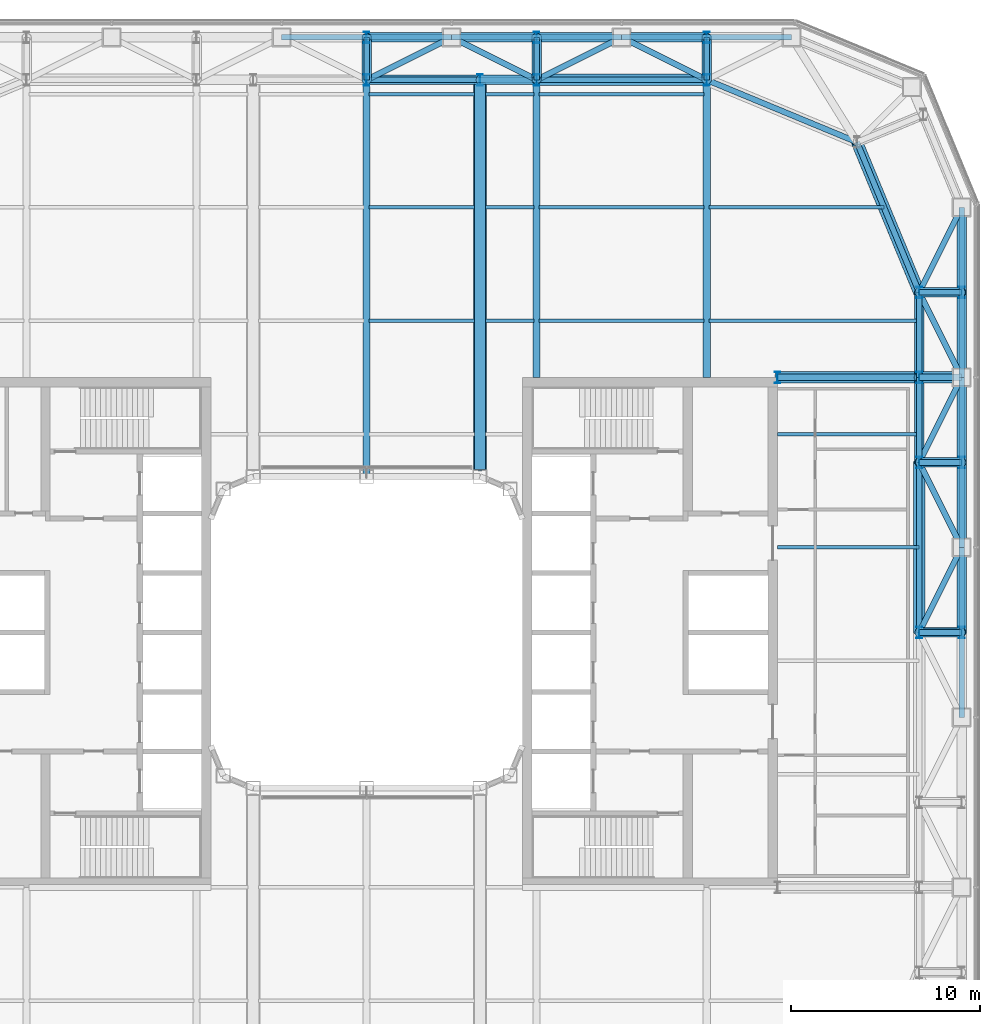
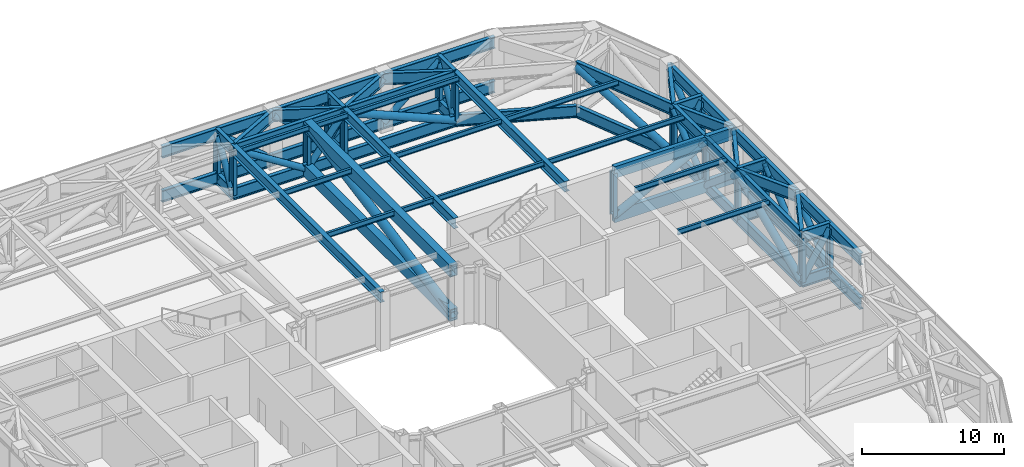
# One storey, part 11 of 33: 68 beams, 40 members.
"""IFC4 building model written with IfcOpenShell, lengths in metres."""

from ifc_helpers import new_model, si_unit, direction, frame, origin, origin_2d, place, context, subcontext, project, spatial, hollow_rectangle, hollow_circle, i_section, extrude, material, material_profile, profile_set, type_object, element, save


model = new_model("IFC4")

# Units and contexts
model_context = context("Model", 3, precision=1e-05, world=origin(), true_north=direction((0.0, 1.0)))
body_context = subcontext(model_context, "Body", "Model", "MODEL_VIEW")
ifc_project = project(units=[si_unit("LENGTHUNIT", "METRE"), si_unit("AREAUNIT", "SQUARE_METRE"), si_unit("VOLUMEUNIT", "CUBIC_METRE"), si_unit("PLANEANGLEUNIT", "RADIAN"), si_unit("MASSUNIT", "GRAM", prefix="KILO")], contexts=[model_context])

# Site, building, storey
site_placement = place(None, origin())
site = spatial("IfcSite", under=ifc_project, at=site_placement, CompositionType="ELEMENT")
building_placement = place(site_placement, origin())
building = spatial("IfcBuilding", under=site, at=building_placement, Name="Siwar Civic Tower", CompositionType="ELEMENT")
storey_placement = place(building_placement, frame((0.0, 0.0, 94.199951171875)))
storey = spatial("IfcBuildingStorey", under=building, at=storey_placement, Name="L20", CompositionType="ELEMENT", Elevation=94.199951171875)

# Beams
ifc_material_1 = material(Name="Steel S460", Category="steel")
ifc_material_profile_1 = material_profile(ifc_material_1, i_section(OverallWidth=0.302001953125, OverallDepth=1.008056640625, WebThickness=0.02099609375, FlangeThickness=0.0400390625, FilletRadius=0.030029296875, at=origin_2d()), Name="HEM1000")
ifc_profile_set_1 = profile_set([ifc_material_profile_1], Name="Steel S460")
beam_type_1 = type_object("IfcBeamType", Name="STR-BELT-TRUSS-CHORD-HEM1000", PredefinedType="BEAM", material=ifc_profile_set_1)
for number, where, z_axis, x_axis, name in (
    (1, (29.25, 0.0, 0.504150390625), (0.0, 1.0, 0.0), (-1.0, 0.0, 0.0), "Belt truss chord"),
    (2, (29.25, 0.0, 4.296142578125), (0.0, 1.0, 0.0), (-1.0, 0.0, 0.0), "Belt truss chord"),
):
    element("IfcBeam", number, at=place(storey_placement, frame(where, z_axis=z_axis, x_axis=x_axis)), inside=storey, type_object=beam_type_1, Name=name, PredefinedType="BEAM", context=body_context, shape_type="SweptSolid", body=[
        extrude(i_section(OverallWidth=0.302001953125, OverallDepth=1.008056640625, WebThickness=0.02099609375, FlangeThickness=0.0400390625, FilletRadius=0.030029296875, at=origin_2d()), origin(), (0.0, 0.0, 1.0), 9.0),
    ])
for number, where, z_axis, x_axis, name in (
    (3, (29.25, 9.0, 0.504150390625), (0.0, 1.0, 0.0), (-1.0, 0.0, 0.0), "Belt truss chord"),
    (4, (29.25, 9.0, 4.296142578125), (0.0, 1.0, 0.0), (-1.0, 0.0, 0.0), "Belt truss chord"),
    (5, (29.25, 13.5, 0.504150390625), (0.0, 1.0, 0.0), (-1.0, 0.0, 0.0), "Belt truss chord"),
    (6, (29.25, 13.5, 4.296142578125), (0.0, 1.0, 0.0), (-1.0, 0.0, 0.0), "Belt truss chord"),
):
    element("IfcBeam", number, at=place(storey_placement, frame(where, z_axis=z_axis, x_axis=x_axis)), inside=storey, type_object=beam_type_1, Name=name, PredefinedType="BEAM", context=body_context, shape_type="SweptSolid", body=[
        extrude(i_section(OverallWidth=0.302001953125, OverallDepth=1.008056640625, WebThickness=0.02099609375, FlangeThickness=0.0400390625, FilletRadius=0.030029296875, at=origin_2d()), origin(), (0.0, 0.0, 1.0), 4.5),
    ])
for number, where, z_axis, x_axis, name in (
    (7, (29.25, 18.0, 0.504150390625), (-0.382699877515, 0.923872720536, 0.0), (-0.923872720536, -0.382699877515, 0.0), "Belt truss chord"),
    (8, (29.25, 18.0, 4.296142578125), (-0.382699877515, 0.923872720536, 0.0), (-0.923872720536, -0.382699877515, 0.0), "Belt truss chord"),
    (9, (25.954833984375, 25.954833984375, 0.504150390625), (-0.923872720536, 0.382699877515, 0.0), (-0.382699877515, -0.923872720536, 0.0), "Belt truss chord"),
):
    element("IfcBeam", number, at=place(storey_placement, frame(where, z_axis=z_axis, x_axis=x_axis)), inside=storey, type_object=beam_type_1, Name=name, PredefinedType="BEAM", context=body_context, shape_type="SweptSolid", body=[
        extrude(i_section(OverallWidth=0.302001953125, OverallDepth=1.008056640625, WebThickness=0.02099609375, FlangeThickness=0.0400390625, FilletRadius=0.030029296875, at=origin_2d()), origin(), (0.0, 0.0, 1.0), 8.6103515625),
    ])
for number, where, z_axis, x_axis, name in (
    (10, (18.0, 29.25, 0.504150390625), (-1.0, 0.0, 0.0), (0.0, -1.0, 0.0), "Belt truss chord"),
    (11, (18.0, 29.25, 4.296142578125), (-1.0, 0.0, 0.0), (0.0, -1.0, 0.0), "Belt truss chord"),
    (12, (9.0, 29.25, 0.504150390625), (-1.0, 0.0, 0.0), (0.0, -1.0, 0.0), "Belt truss chord"),
    (13, (9.0, 29.25, 4.296142578125), (-1.0, 0.0, 0.0), (0.0, -1.0, 0.0), "Belt truss chord"),
    (14, (31.5, -4.5, 0.504150390625), (0.0, 1.0, 0.0), (-1.0, 0.0, 0.0), "Belt truss chord"),
    (15, (31.5, -4.5, 4.296142578125), (0.0, 1.0, 0.0), (-1.0, 0.0, 0.0), "Belt truss chord"),
    (16, (31.5, 4.5, 0.504150390625), (0.0, 1.0, 0.0), (-1.0, 0.0, 0.0), "Belt truss chord"),
    (17, (31.5, 4.5, 4.296142578125), (0.0, 1.0, 0.0), (-1.0, 0.0, 0.0), "Belt truss chord"),
    (18, (31.5, 13.5, 0.504150390625), (0.0, 1.0, 0.0), (-1.0, 0.0, 0.0), "Belt truss chord"),
    (19, (31.5, 13.5, 4.296142578125), (0.0, 1.0, 0.0), (-1.0, 0.0, 0.0), "Belt truss chord"),
    (20, (22.5, 31.5, 0.504150390625), (-1.0, 0.0, 0.0), (0.0, -1.0, 0.0), "Belt truss chord"),
    (21, (22.5, 31.5, 4.296142578125), (-1.0, 0.0, 0.0), (0.0, -1.0, 0.0), "Belt truss chord"),
    (22, (13.5, 31.5, 0.504150390625), (-1.0, 0.0, 0.0), (0.0, -1.0, 0.0), "Belt truss chord"),
    (23, (13.5, 31.5, 4.296142578125), (-1.0, 0.0, 0.0), (0.0, -1.0, 0.0), "Belt truss chord"),
    (24, (4.5, 31.5, 0.504150390625), (-1.0, 0.0, 0.0), (0.0, -1.0, 0.0), "Belt truss chord"),
    (25, (4.5, 31.5, 4.296142578125), (-1.0, 0.0, 0.0), (0.0, -1.0, 0.0), "Belt truss chord"),
):
    element("IfcBeam", number, at=place(storey_placement, frame(where, z_axis=z_axis, x_axis=x_axis)), inside=storey, type_object=beam_type_1, Name=name, PredefinedType="BEAM", context=body_context, shape_type="SweptSolid", body=[
        extrude(i_section(OverallWidth=0.302001953125, OverallDepth=1.008056640625, WebThickness=0.02099609375, FlangeThickness=0.0400390625, FilletRadius=0.030029296875, at=origin_2d()), origin(), (0.0, 0.0, 1.0), 9.0),
    ])

# Members
ifc_material_2 = material(Name="Steel S355", Category="steel")
ifc_material_profile_2 = material_profile(ifc_material_2, hollow_circle(Radius=0.25390625, WallThickness=0.02490234375, at=origin_2d()), Name="CHS508x25")
ifc_profile_set_2 = profile_set([ifc_material_profile_2], Name="Steel S355")
member_type_1 = type_object("IfcMemberType", Name="STR-BELT-TRUSS-DIAGONAL-CHS508x25", PredefinedType="BRACE", material=ifc_profile_set_2)
for number, where, z_axis, x_axis, name in (
    (26, (29.25, 13.50390625, 0.500732421875), (0.0, -0.764699580999, 0.644386957364), (1.0, 0.0, 0.0), "Belt truss diagonal"),
    (27, (29.25, 13.49609375, 0.500732421875), (0.0, 0.764699580999, 0.644386957364), (-1.0, 0.0, 0.0), "Belt truss diagonal"),
):
    element("IfcMember", number, at=place(storey_placement, frame(where, z_axis=z_axis, x_axis=x_axis)), inside=storey, type_object=member_type_1, Name=name, PredefinedType="BRACE", context=body_context, shape_type="SweptSolid", body=[
        extrude(hollow_circle(Radius=0.25390625, WallThickness=0.02490234375, at=origin_2d()), origin(), (0.0, 0.0, 1.0), 5.894775390625),
    ])
member_1_placement = place(storey_placement, frame((5.996826171875, 29.25, 0.500244140625), z_axis=(0.620470608021, 0.0, 0.784229701416), x_axis=(0.0, 1.0, 0.0)))
element("IfcMember", 28, at=member_1_placement, inside=storey, type_object=member_type_1, Name="Belt truss diagonal", PredefinedType="BRACE", context=body_context, shape_type="SweptSolid", body=[
    extrude(hollow_circle(Radius=0.25390625, WallThickness=0.02490234375, at=origin_2d()), origin(), (0.0, 0.0, 1.0), 4.84521484375),
])
member_2_placement = place(storey_placement, frame((6.004150390625, 29.25, 0.50146484375), z_axis=(-0.845320722688, 0.0, 0.534259184099), x_axis=(0.0, -1.0, 0.0)))
element("IfcMember", 29, at=member_2_placement, inside=storey, type_object=member_type_1, Name="Belt truss diagonal", PredefinedType="BRACE", context=body_context, shape_type="SweptSolid", body=[
    extrude(hollow_circle(Radius=0.25390625, WallThickness=0.02490234375, at=origin_2d()), origin(), (0.0, 0.0, 1.0), 7.107666015625),
])
for number, where, z_axis, x_axis, name in (
    (30, (31.5, -0.00390625, 0.500732421875), (0.0, 0.764699580999, 0.644386957364), (-1.0, 0.0, 0.0), "Belt truss diagonal"),
    (31, (31.5, 4.49609375, 0.500732421875), (0.0, 0.764699580999, 0.644386957364), (-1.0, 0.0, 0.0), "Belt truss diagonal"),
    (32, (31.5, 13.50390625, 0.500732421875), (0.0, -0.764699580999, 0.644386957364), (1.0, 0.0, 0.0), "Belt truss diagonal"),
    (33, (31.5, 18.00390625, 0.500732421875), (0.0, -0.764699580999, 0.644386957364), (1.0, 0.0, 0.0), "Belt truss diagonal"),
    (34, (31.5, 17.99609375, 0.500732421875), (0.0, 0.764699580999, 0.644386957364), (-1.0, 0.0, 0.0), "Belt truss diagonal"),
    (35, (13.49609375, 31.5, 0.500732421875), (0.764699580999, 0.0, 0.644386957364), (0.0, 1.0, 0.0), "Belt truss diagonal"),
    (36, (8.99609375, 31.5, 0.500732421875), (0.764699580999, 0.0, 0.644386957364), (0.0, 1.0, 0.0), "Belt truss diagonal"),
    (37, (9.00390625, 31.5, 0.500732421875), (-0.764699580999, 0.0, 0.644386957364), (0.0, -1.0, 0.0), "Belt truss diagonal"),
    (38, (4.50390625, 31.5, 0.500732421875), (-0.764699580999, 0.0, 0.644386957364), (0.0, -1.0, 0.0), "Belt truss diagonal"),
):
    element("IfcMember", number, at=place(storey_placement, frame(where, z_axis=z_axis, x_axis=x_axis)), inside=storey, type_object=member_type_1, Name=name, PredefinedType="BRACE", context=body_context, shape_type="SweptSolid", body=[
        extrude(hollow_circle(Radius=0.25390625, WallThickness=0.02490234375, at=origin_2d()), origin(), (0.0, 0.0, 1.0), 5.894775390625),
    ])
for number, where, z_axis, x_axis, name in (
    (39, (29.24755859375, 0.0, 0.499755859375), (0.510256630496, 0.0, 0.860022192176), (0.0, 1.0, 0.0), "Belt truss diagonal"),
    (40, (31.50244140625, 9.0, 0.499755859375), (-0.510256630496, 0.0, 0.860022192176), (0.0, -1.0, 0.0), "Belt truss diagonal"),
    (41, (29.24755859375, 18.0, 0.499755859375), (0.510256630496, 0.0, 0.860022192176), (0.0, 1.0, 0.0), "Belt truss diagonal"),
    (42, (18.0, 29.24755859375, 0.499755859375), (0.0, 0.510256630496, 0.860022192176), (-1.0, 0.0, 0.0), "Belt truss diagonal"),
    (43, (9.0, 31.50244140625, 0.499755859375), (0.0, -0.510256630496, 0.860022192176), (1.0, 0.0, 0.0), "Belt truss diagonal"),
    (44, (0.0, 29.24755859375, 0.499755859375), (0.0, 0.510256630496, 0.860022192176), (-1.0, 0.0, 0.0), "Belt truss diagonal"),
):
    element("IfcMember", number, at=place(storey_placement, frame(where, z_axis=z_axis, x_axis=x_axis)), inside=storey, type_object=member_type_1, Name=name, PredefinedType="BRACE", context=body_context, shape_type="SweptSolid", body=[
        extrude(hollow_circle(Radius=0.25390625, WallThickness=0.02490234375, at=origin_2d()), origin(), (0.0, 0.0, 1.0), 4.419189453125),
    ])
ifc_material_3 = material(Name="Steel S355", Category="steel")
ifc_material_profile_3 = material_profile(ifc_material_3, hollow_circle(Radius=0.304931640625, WallThickness=0.030029296875, at=origin_2d()), Name="CHS610x30")
ifc_profile_set_3 = profile_set([ifc_material_profile_3], Name="Steel S355")
member_type_2 = type_object("IfcMemberType", Name="STR-BELT-TRUSS-DIAGONAL-CHS610x30", PredefinedType="BRACE", material=ifc_profile_set_3)
member_3_placement = place(storey_placement, frame((29.25, -0.004638671875, 0.502197265625), z_axis=(0.0, 0.921543214524, 0.388275808884), x_axis=(-1.0, 0.0, 0.0)))
element("IfcMember", 45, at=member_3_placement, inside=storey, type_object=member_type_2, Name="Belt truss diagonal", PredefinedType="BRACE", context=body_context, shape_type="SweptSolid", body=[
    extrude(hollow_circle(Radius=0.304931640625, WallThickness=0.030029296875, at=origin_2d()), origin(), (0.0, 0.0, 1.0), 9.7763671875),
])
member_4_placement = place(storey_placement, frame((29.251708984375, 17.995849609375, 0.501953125), z_axis=(-0.350226651172, 0.845510540146, 0.403054858935), x_axis=(-0.923877709708, -0.382687832972, 0.0)))
element("IfcMember", 46, at=member_4_placement, inside=storey, type_object=member_type_2, Name="Belt truss diagonal", PredefinedType="BRACE", context=body_context, shape_type="SweptSolid", body=[
    extrude(hollow_circle(Radius=0.304931640625, WallThickness=0.030029296875, at=origin_2d()), origin(), (0.0, 0.0, 1.0), 9.41845703125),
])
member_5_placement = place(storey_placement, frame((18.004638671875, 29.25, 0.502197265625), z_axis=(-0.921543214524, 0.0, 0.388275808884), x_axis=(0.0, -1.0, 0.0)))
element("IfcMember", 47, at=member_5_placement, inside=storey, type_object=member_type_2, Name="Belt truss diagonal", PredefinedType="BRACE", context=body_context, shape_type="SweptSolid", body=[
    extrude(hollow_circle(Radius=0.304931640625, WallThickness=0.030029296875, at=origin_2d()), origin(), (0.0, 0.0, 1.0), 9.7763671875),
])

# Beams
ifc_material_4 = material(Name="Steel S460", Category="steel")
ifc_material_profile_4 = material_profile(ifc_material_4, i_section(OverallWidth=0.302001953125, OverallDepth=1.008056640625, WebThickness=0.02099609375, FlangeThickness=0.0400390625, FilletRadius=0.030029296875, at=origin_2d()), Name="HEM1000")
ifc_profile_set_4 = profile_set([ifc_material_profile_4], Name="Steel S460")
beam_type_2 = type_object("IfcBeamType", Name="STR-BELT-TRUSS-LADDER-CHORD-HEM1000", PredefinedType="BEAM", material=ifc_profile_set_4)
for number, where, z_axis, x_axis, name in (
    (48, (29.25, 0.0, 0.504150390625), (1.0, 0.0, 0.0), (0.0, 1.0, 0.0), "Belt truss ladder chord"),
    (49, (29.25, 0.0, 4.296142578125), (1.0, 0.0, 0.0), (0.0, 1.0, 0.0), "Belt truss ladder chord"),
    (50, (29.25, 9.0, 0.504150390625), (1.0, 0.0, 0.0), (0.0, 1.0, 0.0), "Belt truss ladder chord"),
    (51, (29.25, 9.0, 4.296142578125), (1.0, 0.0, 0.0), (0.0, 1.0, 0.0), "Belt truss ladder chord"),
    (52, (29.25, 18.0, 0.504150390625), (1.0, 0.0, 0.0), (0.0, 1.0, 0.0), "Belt truss ladder chord"),
    (53, (29.25, 18.0, 4.296142578125), (1.0, 0.0, 0.0), (0.0, 1.0, 0.0), "Belt truss ladder chord"),
    (54, (18.0, 29.25, 0.504150390625), (0.0, 1.0, 0.0), (-1.0, 0.0, 0.0), "Belt truss ladder chord"),
    (55, (18.0, 29.25, 4.296142578125), (0.0, 1.0, 0.0), (-1.0, 0.0, 0.0), "Belt truss ladder chord"),
    (56, (9.0, 29.25, 0.504150390625), (0.0, 1.0, 0.0), (-1.0, 0.0, 0.0), "Belt truss ladder chord"),
    (57, (9.0, 29.25, 4.296142578125), (0.0, 1.0, 0.0), (-1.0, 0.0, 0.0), "Belt truss ladder chord"),
    (58, (0.0, 29.25, 0.504150390625), (0.0, 1.0, 0.0), (-1.0, 0.0, 0.0), "Belt truss ladder chord"),
    (59, (0.0, 29.25, 4.296142578125), (0.0, 1.0, 0.0), (-1.0, 0.0, 0.0), "Belt truss ladder chord"),
):
    element("IfcBeam", number, at=place(storey_placement, frame(where, z_axis=z_axis, x_axis=x_axis)), inside=storey, type_object=beam_type_2, Name=name, PredefinedType="BEAM", context=body_context, shape_type="SweptSolid", body=[
        extrude(i_section(OverallWidth=0.302001953125, OverallDepth=1.008056640625, WebThickness=0.02099609375, FlangeThickness=0.0400390625, FilletRadius=0.030029296875, at=origin_2d()), origin(), (0.0, 0.0, 1.0), 2.25),
    ])

# Members
ifc_material_5 = material(Name="Steel S355", Category="steel")
ifc_material_profile_5 = material_profile(ifc_material_5, i_section(OverallWidth=0.300048828125, OverallDepth=0.60009765625, WebThickness=0.015380859375, FlangeThickness=0.030029296875, FilletRadius=0.027099609375, at=origin_2d()), Name="HEB600")
ifc_profile_set_5 = profile_set([ifc_material_profile_5], Name="Steel S355")
member_type_3 = type_object("IfcMemberType", Name="STR-BELT-TRUSS-POST-HEB600", PredefinedType="POST", material=ifc_profile_set_5)
for number, where, z_axis, x_axis, name in (
    (60, (0.0, 29.25, 0.504150390625), (0.0, 0.0, 1.0), (1.0, 0.0, 0.0), "Belt truss post"),
    (61, (0.0, 31.5, 0.504150390625), (0.0, 0.0, 1.0), (1.0, 0.0, 0.0), "Belt truss post"),
    (62, (6.0, 29.25, 0.504150390625), (0.0, 0.0, 1.0), (1.0, 0.0, 0.0), "Belt truss post"),
    (63, (9.0, 29.25, 0.504150390625), (0.0, 0.0, 1.0), (1.0, 0.0, 0.0), "Belt truss post"),
    (64, (9.0, 31.5, 0.504150390625), (0.0, 0.0, 1.0), (1.0, 0.0, 0.0), "Belt truss post"),
    (65, (18.0, 29.25, 0.504150390625), (0.0, 0.0, 1.0), (1.0, 0.0, 0.0), "Belt truss post"),
    (66, (18.0, 31.5, 0.504150390625), (0.0, 0.0, 1.0), (1.0, 0.0, 0.0), "Belt truss post"),
    (67, (29.25, 0.0, 0.504150390625), (0.0, 0.0, 1.0), (1.0, 0.0, 0.0), "Belt truss post"),
    (68, (29.25, 9.0, 0.504150390625), (0.0, 0.0, 1.0), (1.0, 0.0, 0.0), "Belt truss post"),
    (69, (29.25, 13.5, 0.504150390625), (0.0, 0.0, 1.0), (1.0, 0.0, 0.0), "Belt truss post"),
    (70, (29.25, 18.0, 0.504150390625), (0.0, 0.0, 1.0), (1.0, 0.0, 0.0), "Belt truss post"),
    (71, (31.5, 0.0, 0.504150390625), (0.0, 0.0, 1.0), (1.0, 0.0, 0.0), "Belt truss post"),
    (72, (31.5, 9.0, 0.504150390625), (0.0, 0.0, 1.0), (1.0, 0.0, 0.0), "Belt truss post"),
    (73, (31.5, 18.0, 0.504150390625), (0.0, 0.0, 1.0), (1.0, 0.0, 0.0), "Belt truss post"),
):
    element("IfcMember", number, at=place(storey_placement, frame(where, z_axis=z_axis, x_axis=x_axis)), inside=storey, type_object=member_type_3, Name=name, PredefinedType="POST", context=body_context, shape_type="SweptSolid", body=[
        extrude(i_section(OverallWidth=0.300048828125, OverallDepth=0.60009765625, WebThickness=0.015380859375, FlangeThickness=0.030029296875, FilletRadius=0.027099609375, at=origin_2d()), origin(), (0.0, 0.0, 1.0), 3.7919921875),
    ])

# Beams
ifc_material_6 = material(Name="Steel S355", Category="steel")
ifc_material_profile_6 = material_profile(ifc_material_6, i_section(OverallWidth=0.18994140625, OverallDepth=0.449951171875, WebThickness=0.009521484375, FlangeThickness=0.0146484375, FilletRadius=0.02099609375, at=origin_2d()), Name="IPE450")
ifc_profile_set_6 = profile_set([ifc_material_profile_6], Name="Steel S355")
beam_type_3 = type_object("IfcBeamType", Name="STR-FB-IPE450", PredefinedType="JOIST", material=ifc_profile_set_6)
for number, where, z_axis, x_axis, name in (
    (74, (21.75, 4.5, 4.574951171875), (1.0, 0.0, 0.0), (0.0, 1.0, 0.0), "L20/bm/F030"),
    (75, (21.75, 10.5, 4.574951171875), (1.0, 0.0, 0.0), (0.0, 1.0, 0.0), "L20/bm/F036"),
):
    element("IfcBeam", number, at=place(storey_placement, frame(where, z_axis=z_axis, x_axis=x_axis)), inside=storey, type_object=beam_type_3, Name=name, PredefinedType="JOIST", context=body_context, shape_type="SweptSolid", body=[
        extrude(i_section(OverallWidth=0.18994140625, OverallDepth=0.449951171875, WebThickness=0.009521484375, FlangeThickness=0.0146484375, FilletRadius=0.02099609375, at=origin_2d()), origin(), (0.0, 0.0, 1.0), 7.5),
    ])
beam_1_placement = place(storey_placement, frame((0.1298828125, 16.5, 4.574951171875), z_axis=(1.0, 0.0, 0.0), x_axis=(0.0, 1.0, 0.0)))
element("IfcBeam", 76, at=beam_1_placement, inside=storey, type_object=beam_type_3, Name="L20/bm/F041", PredefinedType="JOIST", context=body_context, shape_type="SweptSolid", body=[
    extrude(i_section(OverallWidth=0.18994140625, OverallDepth=0.449951171875, WebThickness=0.009521484375, FlangeThickness=0.0146484375, FilletRadius=0.02099609375, at=origin_2d()), origin(), (0.0, 0.0, 1.0), 5.590087890625),
])
beam_2_placement = place(storey_placement, frame((6.280029296875, 16.5, 4.574951171875), z_axis=(1.0, 0.0, 0.0), x_axis=(0.0, 1.0, 0.0)))
element("IfcBeam", 77, at=beam_2_placement, inside=storey, type_object=beam_type_3, Name="L20/bm/F042", PredefinedType="JOIST", context=body_context, shape_type="SweptSolid", body=[
    extrude(i_section(OverallWidth=0.18994140625, OverallDepth=0.449951171875, WebThickness=0.009521484375, FlangeThickness=0.0146484375, FilletRadius=0.02099609375, at=origin_2d()), origin(), (0.0, 0.0, 1.0), 2.590087890625),
])
beam_3_placement = place(storey_placement, frame((9.1298828125, 16.5, 4.574951171875), z_axis=(1.0, 0.0, 0.0), x_axis=(0.0, 1.0, 0.0)))
element("IfcBeam", 78, at=beam_3_placement, inside=storey, type_object=beam_type_3, Name="L20/bm/F043", PredefinedType="JOIST", context=body_context, shape_type="SweptSolid", body=[
    extrude(i_section(OverallWidth=0.18994140625, OverallDepth=0.449951171875, WebThickness=0.009521484375, FlangeThickness=0.0146484375, FilletRadius=0.02099609375, at=origin_2d()), origin(), (0.0, 0.0, 1.0), 8.740234375),
])
beam_4_placement = place(storey_placement, frame((18.1298828125, 16.5, 4.574951171875), z_axis=(1.0, 0.0, 0.0), x_axis=(0.0, 1.0, 0.0)))
element("IfcBeam", 79, at=beam_4_placement, inside=storey, type_object=beam_type_3, Name="L20/bm/F044", PredefinedType="JOIST", context=body_context, shape_type="SweptSolid", body=[
    extrude(i_section(OverallWidth=0.18994140625, OverallDepth=0.449951171875, WebThickness=0.009521484375, FlangeThickness=0.0146484375, FilletRadius=0.02099609375, at=origin_2d()), origin(), (0.0, 0.0, 1.0), 11.1201171875),
])
beam_5_placement = place(storey_placement, frame((0.1298828125, 22.5, 4.574951171875), z_axis=(1.0, 0.0, 0.0), x_axis=(0.0, 1.0, 0.0)))
element("IfcBeam", 80, at=beam_5_placement, inside=storey, type_object=beam_type_3, Name="L20/bm/F049", PredefinedType="JOIST", context=body_context, shape_type="SweptSolid", body=[
    extrude(i_section(OverallWidth=0.18994140625, OverallDepth=0.449951171875, WebThickness=0.009521484375, FlangeThickness=0.0146484375, FilletRadius=0.02099609375, at=origin_2d()), origin(), (0.0, 0.0, 1.0), 5.590087890625),
])
beam_6_placement = place(storey_placement, frame((6.280029296875, 22.5, 4.574951171875), z_axis=(1.0, 0.0, 0.0), x_axis=(0.0, 1.0, 0.0)))
element("IfcBeam", 81, at=beam_6_placement, inside=storey, type_object=beam_type_3, Name="L20/bm/F050", PredefinedType="JOIST", context=body_context, shape_type="SweptSolid", body=[
    extrude(i_section(OverallWidth=0.18994140625, OverallDepth=0.449951171875, WebThickness=0.009521484375, FlangeThickness=0.0146484375, FilletRadius=0.02099609375, at=origin_2d()), origin(), (0.0, 0.0, 1.0), 2.590087890625),
])
beam_7_placement = place(storey_placement, frame((9.1298828125, 22.5, 4.574951171875), z_axis=(1.0, 0.0, 0.0), x_axis=(0.0, 1.0, 0.0)))
element("IfcBeam", 82, at=beam_7_placement, inside=storey, type_object=beam_type_3, Name="L20/bm/F051", PredefinedType="JOIST", context=body_context, shape_type="SweptSolid", body=[
    extrude(i_section(OverallWidth=0.18994140625, OverallDepth=0.449951171875, WebThickness=0.009521484375, FlangeThickness=0.0146484375, FilletRadius=0.02099609375, at=origin_2d()), origin(), (0.0, 0.0, 1.0), 8.740234375),
])
beam_8_placement = place(storey_placement, frame((18.1298828125, 22.5, 4.574951171875), z_axis=(1.0, 0.0, 0.0), x_axis=(0.0, 1.0, 0.0)))
element("IfcBeam", 83, at=beam_8_placement, inside=storey, type_object=beam_type_3, Name="L20/bm/F052", PredefinedType="JOIST", context=body_context, shape_type="SweptSolid", body=[
    extrude(i_section(OverallWidth=0.18994140625, OverallDepth=0.449951171875, WebThickness=0.009521484375, FlangeThickness=0.0146484375, FilletRadius=0.02099609375, at=origin_2d()), origin(), (0.0, 0.0, 1.0), 9.256103515625),
])
beam_9_placement = place(storey_placement, frame((0.1298828125, 28.5, 4.574951171875), z_axis=(1.0, 0.0, 0.0), x_axis=(0.0, 1.0, 0.0)))
element("IfcBeam", 84, at=beam_9_placement, inside=storey, type_object=beam_type_3, Name="L20/bm/F056", PredefinedType="JOIST", context=body_context, shape_type="SweptSolid", body=[
    extrude(i_section(OverallWidth=0.18994140625, OverallDepth=0.449951171875, WebThickness=0.009521484375, FlangeThickness=0.0146484375, FilletRadius=0.02099609375, at=origin_2d()), origin(), (0.0, 0.0, 1.0), 5.590087890625),
])
beam_10_placement = place(storey_placement, frame((6.280029296875, 28.5, 4.574951171875), z_axis=(1.0, 0.0, 0.0), x_axis=(0.0, 1.0, 0.0)))
element("IfcBeam", 85, at=beam_10_placement, inside=storey, type_object=beam_type_3, Name="L20/bm/F057", PredefinedType="JOIST", context=body_context, shape_type="SweptSolid", body=[
    extrude(i_section(OverallWidth=0.18994140625, OverallDepth=0.449951171875, WebThickness=0.009521484375, FlangeThickness=0.0146484375, FilletRadius=0.02099609375, at=origin_2d()), origin(), (0.0, 0.0, 1.0), 2.590087890625),
])
beam_11_placement = place(storey_placement, frame((9.1298828125, 28.5, 4.574951171875), z_axis=(1.0, 0.0, 0.0), x_axis=(0.0, 1.0, 0.0)))
element("IfcBeam", 86, at=beam_11_placement, inside=storey, type_object=beam_type_3, Name="L20/bm/F058", PredefinedType="JOIST", context=body_context, shape_type="SweptSolid", body=[
    extrude(i_section(OverallWidth=0.18994140625, OverallDepth=0.449951171875, WebThickness=0.009521484375, FlangeThickness=0.0146484375, FilletRadius=0.02099609375, at=origin_2d()), origin(), (0.0, 0.0, 1.0), 8.740234375),
])
ifc_material_7 = material(Name="Steel S460", Category="steel")
ifc_material_profile_7 = material_profile(ifc_material_7, hollow_rectangle(XDim=0.35009765625, YDim=1.008056640625, WallThickness=0.0400390625, at=origin_2d()), Name="BOX1008x350x40")
ifc_profile_set_7 = profile_set([ifc_material_profile_7], Name="Steel S460")
beam_type_4 = type_object("IfcBeamType", Name="STR-OUTRIGGER-TRUSS-CHORD-BOX1008x350x40", PredefinedType="BEAM", material=ifc_profile_set_7)
for number, where, z_axis, x_axis, name in (
    (87, (31.5, 13.5, 0.504150390625), (-1.0, 0.0, 0.0), (0.0, -1.0, 0.0), "Outrigger truss chord"),
    (88, (31.5, 13.5, 4.296142578125), (-1.0, 0.0, 0.0), (0.0, -1.0, 0.0), "Outrigger truss chord"),
):
    element("IfcBeam", number, at=place(storey_placement, frame(where, z_axis=z_axis, x_axis=x_axis)), inside=storey, type_object=beam_type_4, Name=name, PredefinedType="BEAM", context=body_context, shape_type="SweptSolid", body=[
        extrude(hollow_rectangle(XDim=0.35009765625, YDim=1.008056640625, WallThickness=0.0400390625, at=origin_2d()), origin(), (0.0, 0.0, 1.0), 2.25),
    ])
for number, where, z_axis, x_axis, name in (
    (89, (29.25, 13.5, 0.504150390625), (-1.0, 0.0, 0.0), (0.0, -1.0, 0.0), "Outrigger truss chord"),
    (90, (29.25, 13.5, 4.296142578125), (-1.0, 0.0, 0.0), (0.0, -1.0, 0.0), "Outrigger truss chord"),
):
    element("IfcBeam", number, at=place(storey_placement, frame(where, z_axis=z_axis, x_axis=x_axis)), inside=storey, type_object=beam_type_4, Name=name, PredefinedType="BEAM", context=body_context, shape_type="SweptSolid", body=[
        extrude(hollow_rectangle(XDim=0.35009765625, YDim=1.008056640625, WallThickness=0.0400390625, at=origin_2d()), origin(), (0.0, 0.0, 1.0), 7.5),
    ])
ifc_material_8 = material(Name="Steel S460", Category="steel")
ifc_material_profile_8 = material_profile(ifc_material_8, hollow_rectangle(XDim=0.60009765625, YDim=1.008056640625, WallThickness=0.06005859375, at=origin_2d()), Name="BOX1008x600x60")
ifc_profile_set_8 = profile_set([ifc_material_profile_8], Name="Steel S460")
beam_type_5 = type_object("IfcBeamType", Name="STR-OUTRIGGER-TRUSS-CHORD-BOX1008x600x60", PredefinedType="BEAM", material=ifc_profile_set_8)
for number, where, z_axis, x_axis, name in (
    (91, (6.0, 29.25, 0.504150390625), (0.0, -1.0, 0.0), (1.0, 0.0, 0.0), "Outrigger truss chord"),
    (92, (6.0, 29.25, 4.296142578125), (0.0, -1.0, 0.0), (1.0, 0.0, 0.0), "Outrigger truss chord"),
):
    element("IfcBeam", number, at=place(storey_placement, frame(where, z_axis=z_axis, x_axis=x_axis)), inside=storey, type_object=beam_type_5, Name=name, PredefinedType="BEAM", context=body_context, shape_type="SweptSolid", body=[
        extrude(hollow_rectangle(XDim=0.60009765625, YDim=1.008056640625, WallThickness=0.06005859375, at=origin_2d()), origin(), (0.0, 0.0, 1.0), 20.625),
    ])

# Members
ifc_material_9 = material(Name="Steel S355", Category="steel")
ifc_material_profile_9 = material_profile(ifc_material_9, hollow_circle(Radius=0.304931640625, WallThickness=0.030029296875, at=origin_2d()), Name="CHS610x30")
ifc_profile_set_9 = profile_set([ifc_material_profile_9], Name="Steel S355")
member_type_4 = type_object("IfcMemberType", Name="STR-OUTRIGGER-TRUSS-DIAGONAL-CHS610x30", PredefinedType="BRACE", material=ifc_profile_set_9)
member_6_placement = place(storey_placement, frame((31.50244140625, 13.5, 0.499755859375), z_axis=(-0.510256630496, 0.0, 0.860022192176), x_axis=(0.0, -1.0, 0.0)))
element("IfcMember", 93, at=member_6_placement, inside=storey, type_object=member_type_4, Name="Outrigger truss diagonal", PredefinedType="BRACE", context=body_context, shape_type="SweptSolid", body=[
    extrude(hollow_circle(Radius=0.304931640625, WallThickness=0.030029296875, at=origin_2d()), origin(), (0.0, 0.0, 1.0), 4.419189453125),
])
member_7_placement = place(storey_placement, frame((21.74560546875, 13.5, 0.501708984375), z_axis=(0.892410281818, 0.0, 0.451224876205), x_axis=(0.0, 1.0, 0.0)))
element("IfcMember", 94, at=member_7_placement, inside=storey, type_object=member_type_4, Name="Outrigger truss diagonal", PredefinedType="BRACE", context=body_context, shape_type="SweptSolid", body=[
    extrude(hollow_circle(Radius=0.304931640625, WallThickness=0.030029296875, at=origin_2d()), origin(), (0.0, 0.0, 1.0), 8.4140625),
])
ifc_material_10 = material(Name="Steel S355", Category="steel")
ifc_material_profile_10 = material_profile(ifc_material_10, hollow_circle(Radius=0.35546875, WallThickness=0.0400390625, at=origin_2d()), Name="CHS711x40")
ifc_profile_set_10 = profile_set([ifc_material_profile_10], Name="Steel S355")
member_type_5 = type_object("IfcMemberType", Name="STR-OUTRIGGER-TRUSS-DIAGONAL-CHS711x40", PredefinedType="BRACE", material=ifc_profile_set_10)
member_8_placement = place(storey_placement, frame((6.0, 8.6201171875, 0.503173828125), z_axis=(0.0, 0.983516307221, 0.18081944981), x_axis=(-1.0, 0.0, 0.0)))
element("IfcMember", 95, at=member_8_placement, inside=storey, type_object=member_type_5, Name="Outrigger truss diagonal", PredefinedType="BRACE", context=body_context, shape_type="SweptSolid", body=[
    extrude(hollow_circle(Radius=0.35546875, WallThickness=0.0400390625, at=origin_2d()), origin(), (0.0, 0.0, 1.0), 20.980712890625),
])
ifc_material_11 = material(Name="Steel S355", Category="steel")
ifc_material_profile_11 = material_profile(ifc_material_11, i_section(OverallWidth=0.300048828125, OverallDepth=0.60009765625, WebThickness=0.015380859375, FlangeThickness=0.030029296875, FilletRadius=0.027099609375, at=origin_2d()), Name="HEB600")
ifc_profile_set_11 = profile_set([ifc_material_profile_11], Name="Steel S355")
member_type_6 = type_object("IfcMemberType", Name="STR-OUTRIGGER-TRUSS-POST-HEB600", PredefinedType="POST", material=ifc_profile_set_11)
member_9_placement = place(storey_placement, frame((21.75, 13.5, 0.504150390625), z_axis=(0.0, 0.0, 1.0), x_axis=(1.0, 0.0, 0.0)))
element("IfcMember", 96, at=member_9_placement, inside=storey, type_object=member_type_6, Name="Outrigger truss post", PredefinedType="POST", context=body_context, shape_type="SweptSolid", body=[
    extrude(i_section(OverallWidth=0.300048828125, OverallDepth=0.60009765625, WebThickness=0.015380859375, FlangeThickness=0.030029296875, FilletRadius=0.027099609375, at=origin_2d()), origin(), (0.0, 0.0, 1.0), 3.7919921875),
])

# Beams
ifc_material_12 = material(Name="Steel S355", Category="steel")
ifc_material_profile_12 = material_profile(ifc_material_12, i_section(OverallWidth=0.3798828125, OverallDepth=0.89990234375, WebThickness=0.01611328125, FlangeThickness=0.035888671875, at=origin_2d()), Name="PG900x380x16x36")
ifc_profile_set_12 = profile_set([ifc_material_profile_12], Name="Steel S355")
beam_type_6 = type_object("IfcBeamType", Name="STR-PG-PG900x380x16x36", PredefinedType="BEAM", material=ifc_profile_set_12)
beam_12_placement = place(storey_placement, frame((0.0, 8.25, 4.35009765625), z_axis=(0.0, 1.0, 0.0), x_axis=(-1.0, 0.0, 0.0)))
element("IfcBeam", 97, at=beam_12_placement, inside=storey, type_object=beam_type_6, Name="L20/bm/G06", PredefinedType="BEAM", context=body_context, shape_type="SweptSolid", body=[
    extrude(i_section(OverallWidth=0.3798828125, OverallDepth=0.89990234375, WebThickness=0.01611328125, FlangeThickness=0.035888671875, at=origin_2d()), origin(), (0.0, 0.0, 1.0), 21.0),
])
for number, where, z_axis, x_axis, name in (
    (98, (9.0, 13.5, 4.35009765625), (0.0, 1.0, 0.0), (-1.0, 0.0, 0.0), "L20/bm/G08"),
    (99, (18.0, 13.5, 4.35009765625), (0.0, 1.0, 0.0), (-1.0, 0.0, 0.0), "L20/bm/G10"),
):
    element("IfcBeam", number, at=place(storey_placement, frame(where, z_axis=z_axis, x_axis=x_axis)), inside=storey, type_object=beam_type_6, Name=name, PredefinedType="BEAM", context=body_context, shape_type="SweptSolid", body=[
        extrude(i_section(OverallWidth=0.3798828125, OverallDepth=0.89990234375, WebThickness=0.01611328125, FlangeThickness=0.035888671875, at=origin_2d()), origin(), (0.0, 0.0, 1.0), 15.75),
    ])
ifc_material_13 = material(Name="Steel S460", Category="steel")
ifc_material_profile_13 = material_profile(ifc_material_13, i_section(OverallWidth=0.302001953125, OverallDepth=1.008056640625, WebThickness=0.02099609375, FlangeThickness=0.0400390625, FilletRadius=0.030029296875, at=origin_2d()), Name="HEM1000")
ifc_profile_set_13 = profile_set([ifc_material_profile_13], Name="Steel S460")
beam_type_7 = type_object("IfcBeamType", Name="STR-TRANSFER-GIRDER-HEM1000", PredefinedType="BEAM", material=ifc_profile_set_13)
for number, where, z_axis, x_axis, name in (
    (100, (29.25, 0.0, 4.296142578125), (0.4472135955, 0.894427191, 0.0), (-0.894427191, 0.4472135955, 0.0), "Transfer girder"),
    (101, (29.25, 9.0, 4.296142578125), (0.4472135955, -0.894427191, 0.0), (0.894427191, 0.4472135955, 0.0), "Transfer girder"),
    (102, (29.25, 9.0, 4.296142578125), (0.4472135955, 0.894427191, 0.0), (-0.894427191, 0.4472135955, 0.0), "Transfer girder"),
    (103, (29.25, 18.0, 4.296142578125), (0.4472135955, -0.894427191, 0.0), (0.894427191, 0.4472135955, 0.0), "Transfer girder"),
    (104, (29.25, 18.0, 4.296142578125), (0.4472135955, 0.894427191, 0.0), (-0.894427191, 0.4472135955, 0.0), "Transfer girder"),
    (105, (18.0, 29.25, 4.296142578125), (-0.894427191, 0.4472135955, 0.0), (-0.4472135955, -0.894427191, 0.0), "Transfer girder"),
    (106, (9.0, 29.25, 4.296142578125), (-0.894427191, 0.4472135955, 0.0), (-0.4472135955, -0.894427191, 0.0), "Transfer girder"),
    (107, (9.0, 29.25, 4.296142578125), (0.894427191, 0.4472135955, 0.0), (-0.4472135955, 0.894427191, 0.0), "Transfer girder"),
    (108, (0.0, 29.25, 4.296142578125), (0.894427191, 0.4472135955, 0.0), (-0.4472135955, 0.894427191, 0.0), "Transfer girder"),
):
    element("IfcBeam", number, at=place(storey_placement, frame(where, z_axis=z_axis, x_axis=x_axis)), inside=storey, type_object=beam_type_7, Name=name, PredefinedType="BEAM", context=body_context, shape_type="SweptSolid", body=[
        extrude(i_section(OverallWidth=0.302001953125, OverallDepth=1.008056640625, WebThickness=0.02099609375, FlangeThickness=0.0400390625, FilletRadius=0.030029296875, at=origin_2d()), origin(), (0.0, 0.0, 1.0), 5.03125),
    ])

save(model, "model.ifc")
